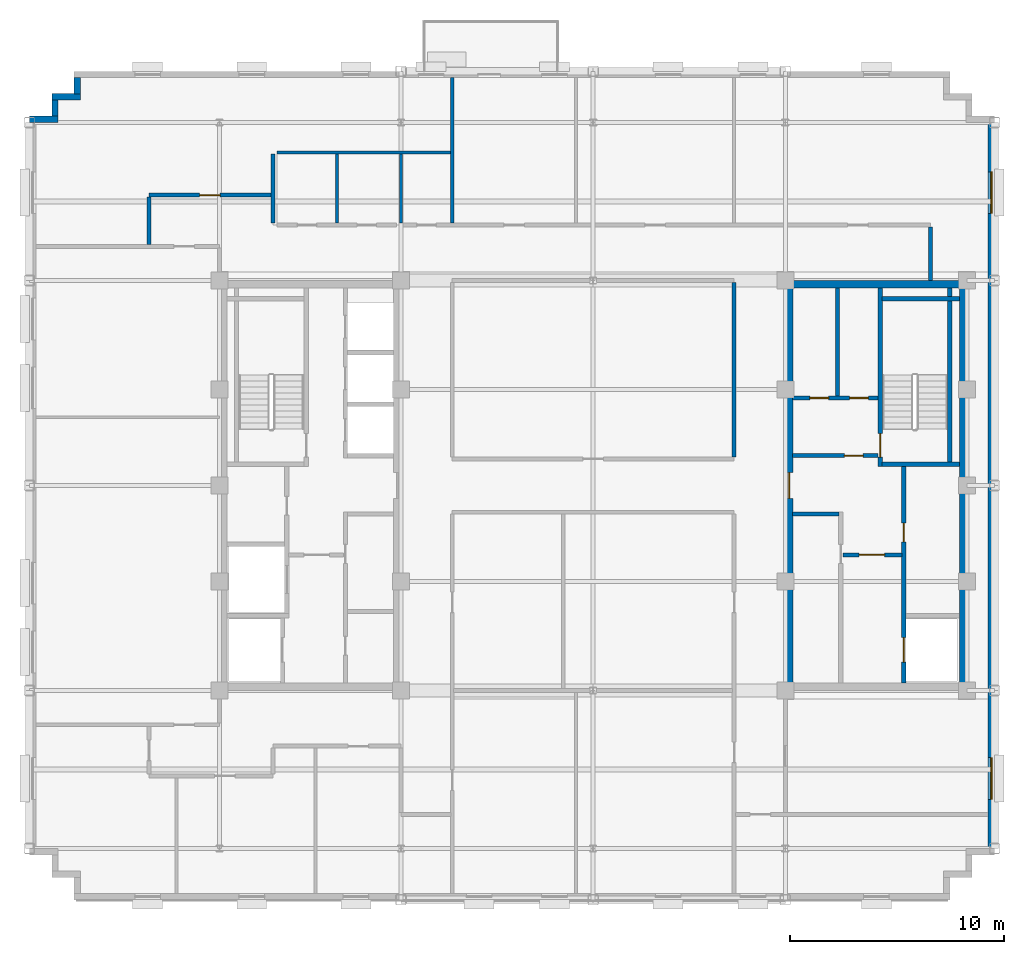
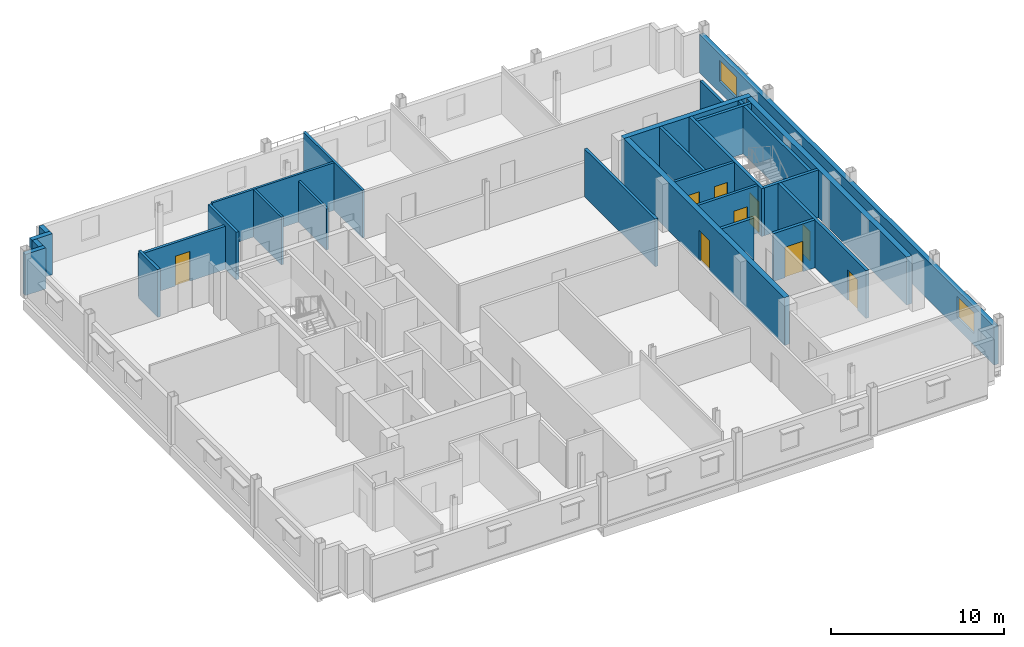
# One storey, part 8 of 14: 27 walls, 9 doors, 2 windows, 11 openings.
"""IFC4 building model written with IfcOpenShell, lengths in metres."""

from ifc_helpers import new_model, si_unit, direction, frame, frame_2d, origin, place, context, subcontext, project, spatial, rectangle, extrude, source, transform, mapped, material, layer, layer_set, type_object, type_shapes, element, fill, save


model = new_model("IFC4")

# Units and contexts
model_context = context("Model", 3, precision=1e-05, world=origin(), true_north=direction((0.0, 1.0)))
body_context = subcontext(model_context, "Body", "Model", "MODEL_VIEW")
ifc_project = project(units=[si_unit("LENGTHUNIT", "METRE"), si_unit("AREAUNIT", "SQUARE_METRE"), si_unit("VOLUMEUNIT", "CUBIC_METRE"), si_unit("PLANEANGLEUNIT", "RADIAN"), si_unit("MASSUNIT", "GRAM", prefix="KILO")], contexts=[model_context])

# Site, building, storey
site_placement = place(None, origin())
site = spatial("IfcSite", under=ifc_project, at=site_placement, CompositionType="ELEMENT")
building_placement = place(site_placement, origin())
building = spatial("IfcBuilding", under=site, at=building_placement, Name="Nuvemarco Arch Tower", CompositionType="ELEMENT")
storey_placement = place(building_placement, frame((0.0, 0.0, 238.35009765625)))
storey = spatial("IfcBuildingStorey", under=building, at=storey_placement, Name="L63", CompositionType="ELEMENT", Elevation=238.35009765625)

# Wall, openings, windows
ifc_material_1 = material(Name="Precast concrete C45/55", Category="concrete")
ifc_layer_1 = layer(ifc_material_1, 0.300048828125, Name="EW-HIGH-300")
ifc_layer_set_1 = layer_set([ifc_layer_1], Name="Precast concrete C45/55")
wall_type_1 = type_object("IfcWallType", Name="EW-HIGH-300", PredefinedType="STANDARD", material=ifc_layer_set_1)
wall_1_placement = place(storey_placement, frame((18.64990234375, -17.00390625, 0.0), z_axis=(0.0, 0.0, 1.0), x_axis=(0.0, 1.0, 0.0)))
wall_1 = element("IfcWall", 1, at=wall_1_placement, inside=storey, type_object=wall_type_1, Name="L63 exterior precast facade wall 6", PredefinedType="STANDARD", context=body_context, shape_type="SweptSolid", body=[
    extrude(rectangle(XDim=34.0078125, YDim=0.300048828125, at=frame_2d((17.00390625, 0.0))), origin(), (0.0, 0.0, 1.0), 2.704833984375),
])
opening_1_placement = place(wall_1_placement, frame((2.311279296875, 0.0, 0.800048828125)))
opening_1 = element("IfcOpeningElement", 2, at=opening_1_placement, cuts=wall_1, Name="Opening WN-7", PredefinedType="OPENING", context=body_context, shape_type="SweptSolid", body=[
    extrude(rectangle(XDim=1.949951171875, YDim=1.47998046875, at=frame_2d((0.97509765625, 0.739990234375))), frame((0.0, 0.159912109375, 0.0), z_axis=(0.0, -1.0, 0.0), x_axis=(1.0, 0.0, 0.0)), (0.0, 0.0, 1.0), 0.320068359375),
])
opening_2_placement = place(wall_1_placement, frame((29.74658203125, 0.0, 0.800048828125)))
opening_2 = element("IfcOpeningElement", 3, at=opening_2_placement, cuts=wall_1, Name="Opening WN-7", PredefinedType="OPENING", context=body_context, shape_type="SweptSolid", body=[
    extrude(rectangle(XDim=1.949951171875, YDim=1.47998046875, at=frame_2d((0.97509765625, 0.739990234375))), frame((0.0, 0.159912109375, 0.0), z_axis=(0.0, -1.0, 0.0), x_axis=(1.0, 0.0, 0.0)), (0.0, 0.0, 1.0), 0.320068359375),
])
ifc_material_2 = material(Name="Insulated solar-control glass", Category="glass")
window_type = type_object("IfcWindowType", Name="WN-HIGH-1950x1480", PartitioningType="DOUBLE_PANEL_VERTICAL", PredefinedType="WINDOW", material=ifc_material_2)
shared_shape_1 = source(origin(), body_context, "Body", "SweptSolid", [
    extrude(rectangle(XDim=1.949951171875, YDim=1.47998046875, at=frame_2d((0.97509765625, 0.739990234375))), frame((0.0, 0.030029296875, 0.0), z_axis=(0.0, -1.0, 0.0), x_axis=(1.0, 0.0, 0.0)), (0.0, 0.0, 1.0), 0.06005859375),
])
type_shapes(window_type, [shared_shape_1])
window_1_placement = place(opening_1_placement, origin())
window_1 = element("IfcWindow", 4, at=window_1_placement, inside=storey, type_object=window_type, Name="L63 punched facade window 1", OverallHeight=1.47998046875, OverallWidth=1.949951171875, PartitioningType="SINGLE_PANEL", PredefinedType="WINDOW", context=body_context, shape_type="MappedRepresentation", body=[
    mapped(shared_shape_1, transform((0.0, 0.0, 0.0), scale=1.0)),
])
fill(opening_1, window_1)
window_2_placement = place(opening_2_placement, origin())
window_2 = element("IfcWindow", 5, at=window_2_placement, inside=storey, type_object=window_type, Name="L63 punched facade window 7", OverallHeight=1.47998046875, OverallWidth=1.949951171875, PartitioningType="SINGLE_PANEL", PredefinedType="WINDOW", context=body_context, shape_type="MappedRepresentation", body=[
    mapped(shared_shape_1, transform((0.0, 0.0, 0.0), scale=1.0)),
])
fill(opening_2, window_2)

# Walls
wall_2_placement = place(storey_placement, frame((-24.14990234375, 18.345947265625, 0.0), z_axis=(0.0, 0.0, 1.0), x_axis=(0.0, 1.0, 0.0)))
element("IfcWall", 6, at=wall_2_placement, inside=storey, type_object=wall_type_1, Name="L63 exterior precast facade wall 12", PredefinedType="STANDARD", context=body_context, shape_type="SweptSolid", body=[
    extrude(rectangle(XDim=0.758056640625, YDim=0.300048828125, at=frame_2d((0.37890625, 0.0))), origin(), (0.0, 0.0, 1.0), 2.891845703125),
])
wall_3_placement = place(storey_placement, frame((-25.35009765625, 18.199951171875, 0.0), z_axis=(0.0, 0.0, 1.0), x_axis=(1.0, 0.0, 0.0)))
element("IfcWall", 7, at=wall_3_placement, inside=storey, type_object=wall_type_1, Name="L63 exterior precast facade wall 13", PredefinedType="STANDARD", context=body_context, shape_type="SweptSolid", body=[
    extrude(rectangle(XDim=1.35009765625, YDim=0.300048828125, at=frame_2d((0.675048828125, 0.0))), origin(), (0.0, 0.0, 1.0), 2.891845703125),
])
wall_4_placement = place(storey_placement, frame((-25.199951171875, 17.2958984375, 0.0), z_axis=(0.0, 0.0, 1.0), x_axis=(0.0, 1.0, 0.0)))
element("IfcWall", 8, at=wall_4_placement, inside=storey, type_object=wall_type_1, Name="L63 exterior precast facade wall 14", PredefinedType="STANDARD", context=body_context, shape_type="SweptSolid", body=[
    extrude(rectangle(XDim=0.758056640625, YDim=0.300048828125, at=frame_2d((0.37890625, 0.0))), origin(), (0.0, 0.0, 1.0), 2.891845703125),
])
wall_5_placement = place(storey_placement, frame((-26.39990234375, 17.14990234375, 0.0), z_axis=(0.0, 0.0, 1.0), x_axis=(1.0, 0.0, 0.0)))
element("IfcWall", 9, at=wall_5_placement, inside=storey, type_object=wall_type_1, Name="L63 exterior precast facade wall 15", PredefinedType="STANDARD", context=body_context, shape_type="SweptSolid", body=[
    extrude(rectangle(XDim=1.349853515625, YDim=0.300048828125, at=frame_2d((0.6748046875, 0.0))), origin(), (0.0, 0.0, 1.0), 2.891845703125),
])
ifc_material_3 = material(Name="Concrete C50/60", Category="concrete")
ifc_layer_2 = layer(ifc_material_3, 0.35009765625, Name="WL-CORE-350")
ifc_layer_set_2 = layer_set([ifc_layer_2], Name="Concrete C50/60")
wall_type_2 = type_object("IfcWallType", Name="WL-CORE-350", PredefinedType="SHEAR", material=ifc_layer_set_2)
wall_6_placement = place(storey_placement, frame((9.0, 9.425048828125, 0.0), z_axis=(0.0, 0.0, 1.0), x_axis=(1.0, 0.0, 0.0)))
element("IfcWall", 10, at=wall_6_placement, inside=storey, type_object=wall_type_2, Name="L63 E-core shear wall N", PredefinedType="SHEAR", context=body_context, shape_type="SweptSolid", body=[
    extrude(rectangle(XDim=8.5, YDim=0.35009765625, at=frame_2d((4.25, 0.0))), origin(), (0.0, 0.0, 1.0), 3.369873046875),
])

# Wall, opening, door
wall_7_placement = place(storey_placement, frame((9.175048828125, -9.2548828125, 0.0), z_axis=(0.0, 0.0, 1.0), x_axis=(0.0, 1.0, 0.0)))
wall_7 = element("IfcWall", 11, at=wall_7_placement, inside=storey, type_object=wall_type_2, Name="L63 E-core shear wall W", PredefinedType="SHEAR", context=body_context, shape_type="SweptSolid", body=[
    extrude(rectangle(XDim=18.509765625, YDim=0.35009765625, at=frame_2d((9.2548828125, 0.0))), origin(), (0.0, 0.0, 1.0), 3.369873046875),
])
opening_3_placement = place(wall_7_placement, frame((8.655029296875, 0.0, 0.0)))
opening_3 = element("IfcOpeningElement", 12, at=opening_3_placement, cuts=wall_7, Name="Opening FD-2", PredefinedType="OPENING", context=body_context, shape_type="SweptSolid", body=[
    extrude(rectangle(XDim=1.199951171875, YDim=2.14990234375, at=frame_2d((0.60009765625, 1.074951171875))), frame((0.0, 0.18505859375, 0.0), z_axis=(0.0, -1.0, 0.0), x_axis=(1.0, 0.0, 0.0)), (0.0, 0.0, 1.0), 0.3701171875),
])
ifc_material_4 = material(Name="Anodised steel fire door", Category="steel")
door_type_1 = type_object("IfcDoorType", Name="DR-FFLOB-FD", OperationType="NOTDEFINED", PredefinedType="DOOR", material=ifc_material_4)
shared_shape_2 = source(origin(), body_context, "Body", "SweptSolid", [
    extrude(rectangle(XDim=1.199951171875, YDim=2.14990234375, at=frame_2d((0.60009765625, 1.074951171875))), frame((0.0, 0.02490234375, 0.0), z_axis=(0.0, -1.0, 0.0), x_axis=(1.0, 0.0, 0.0)), (0.0, 0.0, 1.0), 0.050048828125),
])
type_shapes(door_type_1, [shared_shape_2])
door_1_placement = place(opening_3_placement, origin())
door_1 = element("IfcDoor", 13, at=door_1_placement, inside=storey, type_object=door_type_1, Name="L63 door FD-L63-ECORE-W", OperationType="SINGLE_SWING_LEFT", OverallHeight=2.14990234375, OverallWidth=1.199951171875, PredefinedType="DOOR", context=body_context, shape_type="MappedRepresentation", body=[
    mapped(shared_shape_2, transform((0.0, 0.0, 0.0), scale=1.0)),
])
fill(opening_3, door_1)

# Wall
wall_8_placement = place(storey_placement, frame((17.324951171875, -9.2548828125, 0.0), z_axis=(0.0, 0.0, 1.0), x_axis=(0.0, 1.0, 0.0)))
element("IfcWall", 14, at=wall_8_placement, inside=storey, type_object=wall_type_2, Name="L63 E-core shear wall E", PredefinedType="SHEAR", context=body_context, shape_type="SweptSolid", body=[
    extrude(rectangle(XDim=18.509765625, YDim=0.35009765625, at=frame_2d((9.2548828125, 0.0))), origin(), (0.0, 0.0, 1.0), 3.369873046875),
])

# Wall, opening, door
ifc_material_5 = material(Name="Fire-rated gypsum drywall partition")
ifc_layer_3 = layer(ifc_material_5, 0.179931640625, Name="WL-CORR-180")
ifc_layer_set_3 = layer_set([ifc_layer_3], Name="Fire-rated gypsum drywall partition")
wall_type_3 = type_object("IfcWallType", Name="WL-CORR-180", PredefinedType="PARTITIONING", material=ifc_layer_set_3)
wall_9_placement = place(storey_placement, frame((9.344970703125, 1.39990234375, 0.0), z_axis=(0.0, 0.0, 1.0), x_axis=(1.0, 0.0, 0.0)))
wall_9 = element("IfcWall", 15, at=wall_9_placement, inside=storey, type_object=wall_type_3, Name="L63 interior wall IW-L63-EK-S", PredefinedType="PARTITIONING", context=body_context, shape_type="SweptSolid", body=[
    extrude(rectangle(XDim=4.0, YDim=0.179931640625, at=frame_2d((2.0, 0.0))), origin(), (0.0, 0.0, 1.0), 3.35986328125),
])
opening_4_placement = place(wall_9_placement, frame((2.4150390625, 0.0, 0.0)))
opening_4 = element("IfcOpeningElement", 16, at=opening_4_placement, cuts=wall_9, Name="Opening FD-4", PredefinedType="OPENING", context=body_context, shape_type="SweptSolid", body=[
    extrude(rectangle(XDim=0.8798828125, YDim=2.10009765625, at=frame_2d((0.43994140625, 1.050048828125))), frame((0.0, 0.099853515625, 0.0), z_axis=(0.0, -1.0, 0.0), x_axis=(1.0, 0.0, 0.0)), (0.0, 0.0, 1.0), 0.199951171875),
])
door_type_2 = type_object("IfcDoorType", Name="DR-RISER-FD", OperationType="NOTDEFINED", PredefinedType="DOOR", material=ifc_material_4)
shared_shape_3 = source(origin(), body_context, "Body", "SweptSolid", [
    extrude(rectangle(XDim=0.8798828125, YDim=2.10009765625, at=frame_2d((0.43994140625, 1.050048828125))), frame((0.0, 0.02490234375, 0.0), z_axis=(0.0, -1.0, 0.0), x_axis=(1.0, 0.0, 0.0)), (0.0, 0.0, 1.0), 0.050048828125),
])
type_shapes(door_type_2, [shared_shape_3])
door_2_placement = place(opening_4_placement, origin())
door_2 = element("IfcDoor", 17, at=door_2_placement, inside=storey, type_object=door_type_2, Name="L63 door FD-L63-EK3A", OperationType="SINGLE_SWING_RIGHT", OverallHeight=2.10009765625, OverallWidth=0.8798828125, PredefinedType="DOOR", context=body_context, shape_type="MappedRepresentation", body=[
    mapped(shared_shape_3, transform((0.0, 0.0, 0.0), scale=1.0)),
])
fill(opening_4, door_2)

# Wall, openings, doors
wall_10_placement = place(storey_placement, frame((9.344970703125, 4.10009765625, 0.0), z_axis=(0.0, 0.0, 1.0), x_axis=(1.0, 0.0, 0.0)))
wall_10 = element("IfcWall", 18, at=wall_10_placement, inside=storey, type_object=wall_type_3, Name="L63 interior wall IW-L63-EK3H", PredefinedType="PARTITIONING", context=body_context, shape_type="SweptSolid", body=[
    extrude(rectangle(XDim=4.0, YDim=0.179931640625, at=frame_2d((2.0, 0.0))), origin(), (0.0, 0.0, 1.0), 3.35986328125),
])
opening_5_placement = place(wall_10_placement, frame((0.800048828125, 0.0, 0.0)))
opening_5 = element("IfcOpeningElement", 19, at=opening_5_placement, cuts=wall_10, Name="Opening FD-4", PredefinedType="OPENING", context=body_context, shape_type="SweptSolid", body=[
    extrude(rectangle(XDim=0.8798828125, YDim=2.10009765625, at=frame_2d((0.43994140625, 1.050048828125))), frame((0.0, 0.099853515625, 0.0), z_axis=(0.0, -1.0, 0.0), x_axis=(1.0, 0.0, 0.0)), (0.0, 0.0, 1.0), 0.199951171875),
])
opening_6_placement = place(wall_10_placement, frame((2.6650390625, 0.0, 0.0)))
opening_6 = element("IfcOpeningElement", 20, at=opening_6_placement, cuts=wall_10, Name="Opening FD-4", PredefinedType="OPENING", context=body_context, shape_type="SweptSolid", body=[
    extrude(rectangle(XDim=0.8798828125, YDim=2.10009765625, at=frame_2d((0.43994140625, 1.050048828125))), frame((0.0, 0.099853515625, 0.0), z_axis=(0.0, -1.0, 0.0), x_axis=(1.0, 0.0, 0.0)), (0.0, 0.0, 1.0), 0.199951171875),
])
door_3_placement = place(opening_5_placement, origin())
door_3 = element("IfcDoor", 21, at=door_3_placement, inside=storey, type_object=door_type_2, Name="L63 door FD-L63-EK3B", OperationType="SINGLE_SWING_LEFT", OverallHeight=2.10009765625, OverallWidth=0.8798828125, PredefinedType="DOOR", context=body_context, shape_type="MappedRepresentation", body=[
    mapped(shared_shape_3, transform((0.0, 0.0, 0.0), scale=1.0)),
])
fill(opening_5, door_3)
door_4_placement = place(opening_6_placement, origin())
door_4 = element("IfcDoor", 22, at=door_4_placement, inside=storey, type_object=door_type_2, Name="L63 door FD-L63-EK3C", OperationType="SINGLE_SWING_RIGHT", OverallHeight=2.10009765625, OverallWidth=0.8798828125, PredefinedType="DOOR", context=body_context, shape_type="MappedRepresentation", body=[
    mapped(shared_shape_3, transform((0.0, 0.0, 0.0), scale=1.0)),
])
fill(opening_6, door_4)

# Wall
wall_11_placement = place(storey_placement, frame((11.449951171875, 4.18994140625, 0.0), z_axis=(0.0, 0.0, 1.0), x_axis=(0.0, 1.0, 0.0)))
element("IfcWall", 23, at=wall_11_placement, inside=storey, type_object=wall_type_3, Name="L63 interior wall IW-L63-EK3V", PredefinedType="PARTITIONING", context=body_context, shape_type="SweptSolid", body=[
    extrude(rectangle(XDim=5.06494140625, YDim=0.179931640625, at=frame_2d((2.532470703125, 0.0))), origin(), (0.0, 0.0, 1.0), 3.35986328125),
])

# Wall, opening, door
wall_12_placement = place(storey_placement, frame((-20.800048828125, 13.60009765625, 0.0), z_axis=(0.0, 0.0, 1.0), x_axis=(1.0, 0.0, 0.0)))
wall_12 = element("IfcWall", 24, at=wall_12_placement, inside=storey, type_object=wall_type_3, Name="L63 interior wall IW-L63-016", PredefinedType="PARTITIONING", context=body_context, shape_type="SweptSolid", body=[
    extrude(rectangle(XDim=5.714111328125, YDim=0.179931640625, at=frame_2d((2.85693359375, 0.0))), origin(), (0.0, 0.0, 1.0), 3.048828125),
])
opening_7_placement = place(wall_12_placement, frame((2.376953125, 0.0, 0.0)))
opening_7 = element("IfcOpeningElement", 25, at=opening_7_placement, cuts=wall_12, Name="Opening FD-5", PredefinedType="OPENING", context=body_context, shape_type="SweptSolid", body=[
    extrude(rectangle(XDim=0.9599609375, YDim=2.10009765625, at=frame_2d((0.47998046875, 1.050048828125))), frame((0.0, 0.099853515625, 0.0), z_axis=(0.0, -1.0, 0.0), x_axis=(1.0, 0.0, 0.0)), (0.0, 0.0, 1.0), 0.199951171875),
])
ifc_material_6 = material(Name="Timber fire door", Category="wood")
door_type_3 = type_object("IfcDoorType", Name="DR-CORR-FD", OperationType="NOTDEFINED", PredefinedType="DOOR", material=ifc_material_6)
shared_shape_4 = source(origin(), body_context, "Body", "SweptSolid", [
    extrude(rectangle(XDim=0.9599609375, YDim=2.10009765625, at=frame_2d((0.47998046875, 1.050048828125))), frame((0.0, 0.02490234375, 0.0), z_axis=(0.0, -1.0, 0.0), x_axis=(1.0, 0.0, 0.0)), (0.0, 0.0, 1.0), 0.050048828125),
])
type_shapes(door_type_3, [shared_shape_4])
door_5_placement = place(opening_7_placement, origin())
door_5 = element("IfcDoor", 26, at=door_5_placement, inside=storey, type_object=door_type_3, Name="L63 door DR-L63-N_1", OperationType="SINGLE_SWING_RIGHT", OverallHeight=2.10009765625, OverallWidth=0.9599609375, PredefinedType="DOOR", context=body_context, shape_type="MappedRepresentation", body=[
    mapped(shared_shape_4, transform((0.0, 0.0, 0.0), scale=1.0)),
])
fill(opening_7, door_5)

# Walls
wall_13_placement = place(storey_placement, frame((-20.800048828125, 11.285888671875, 0.0), z_axis=(0.0, 0.0, 1.0), x_axis=(0.0, 1.0, 0.0)))
element("IfcWall", 27, at=wall_13_placement, inside=storey, type_object=wall_type_3, Name="L63 interior wall IW-L63-019", PredefinedType="PARTITIONING", context=body_context, shape_type="SweptSolid", body=[
    extrude(rectangle(XDim=2.22802734375, YDim=0.179931640625, at=frame_2d((1.114013671875, 0.0))), origin(), (0.0, 0.0, 1.0), 3.35986328125),
])
wall_14_placement = place(storey_placement, frame((-15.0, 12.285888671875, 0.0), z_axis=(0.0, 0.0, 1.0), x_axis=(0.0, 1.0, 0.0)))
element("IfcWall", 28, at=wall_14_placement, inside=storey, type_object=wall_type_3, Name="L63 interior wall IW-L63-024", PredefinedType="PARTITIONING", context=body_context, shape_type="SweptSolid", body=[
    extrude(rectangle(XDim=3.2431640625, YDim=0.179931640625, at=frame_2d((1.62158203125, 0.0))), origin(), (0.0, 0.0, 1.0), 3.35986328125),
])
wall_15_placement = place(storey_placement, frame((6.60009765625, 1.3359375, 0.0), z_axis=(0.0, 0.0, 1.0), x_axis=(0.0, 1.0, 0.0)))
element("IfcWall", 29, at=wall_15_placement, inside=storey, type_object=wall_type_3, Name="L63 interior wall IW-L63-036", PredefinedType="PARTITIONING", context=body_context, shape_type="SweptSolid", body=[
    extrude(rectangle(XDim=8.177978515625, YDim=0.179931640625, at=frame_2d((4.0888671875, 0.0))), origin(), (0.0, 0.0, 1.0), 3.35986328125),
])
wall_16_placement = place(storey_placement, frame((15.800048828125, 9.60009765625, 0.0), z_axis=(0.0, 0.0, 1.0), x_axis=(0.0, 1.0, 0.0)))
element("IfcWall", 30, at=wall_16_placement, inside=storey, type_object=wall_type_3, Name="L63 interior wall IW-L63-039", PredefinedType="PARTITIONING", context=body_context, shape_type="SweptSolid", body=[
    extrude(rectangle(XDim=2.513916015625, YDim=0.179931640625, at=frame_2d((1.2568359375, 0.0))), origin(), (0.0, 0.0, 1.0), 3.35986328125),
])

# Wall, opening, door
ifc_layer_4 = layer(ifc_material_3, 0.199951171875, Name="WL-SHAFT-220")
ifc_layer_set_4 = layer_set([ifc_layer_4], Name="Concrete C50/60")
wall_type_4 = type_object("IfcWallType", Name="WL-SHAFT-220", PredefinedType="SHEAR", material=ifc_layer_set_4)
wall_17_placement = place(storey_placement, frame((13.43994140625, 0.89990234375, 0.0), z_axis=(0.0, 0.0, 1.0), x_axis=(0.0, 1.0, 0.0)))
wall_17 = element("IfcWall", 31, at=wall_17_placement, inside=storey, type_object=wall_type_4, Name="L63 structural shaft wall SW-L63-E-ST2W", PredefinedType="SHEAR", context=body_context, shape_type="SweptSolid", body=[
    extrude(rectangle(XDim=8.35498046875, YDim=0.199951171875, at=frame_2d((4.177490234375, 0.0))), origin(), (0.0, 0.0, 1.0), 3.369873046875),
])
opening_8_placement = place(wall_17_placement, frame((0.429931640625, 0.0, 0.0)))
opening_8 = element("IfcOpeningElement", 32, at=opening_8_placement, cuts=wall_17, Name="Opening FD-1", PredefinedType="OPENING", context=body_context, shape_type="SweptSolid", body=[
    extrude(rectangle(XDim=1.10009765625, YDim=2.14990234375, at=frame_2d((0.550048828125, 1.074951171875))), frame((0.0, 0.10986328125, 0.0), z_axis=(0.0, -1.0, 0.0), x_axis=(1.0, 0.0, 0.0)), (0.0, 0.0, 1.0), 0.219970703125),
])
door_type_4 = type_object("IfcDoorType", Name="DR-STAIR-FD", OperationType="NOTDEFINED", PredefinedType="DOOR", material=ifc_material_4)
shared_shape_5 = source(origin(), body_context, "Body", "SweptSolid", [
    extrude(rectangle(XDim=1.10009765625, YDim=2.14990234375, at=frame_2d((0.550048828125, 1.074951171875))), frame((0.0, 0.02490234375, 0.0), z_axis=(0.0, -1.0, 0.0), x_axis=(1.0, 0.0, 0.0)), (0.0, 0.0, 1.0), 0.050048828125),
])
type_shapes(door_type_4, [shared_shape_5])
door_6_placement = place(opening_8_placement, origin())
door_6 = element("IfcDoor", 33, at=door_6_placement, inside=storey, type_object=door_type_4, Name="L63 door FD-L63-ST2", OperationType="SINGLE_SWING_RIGHT", OverallHeight=2.14990234375, OverallWidth=1.10009765625, PredefinedType="DOOR", context=body_context, shape_type="MappedRepresentation", body=[
    mapped(shared_shape_5, transform((0.0, 0.0, 0.0), scale=1.0)),
])
fill(opening_8, door_6)

# Walls
for number, where, z_axis, x_axis, name in (
    (34, (13.534912109375, 1.0, 0.0), (0.0, 0.0, 1.0), (1.0, 0.0, 0.0), "L63 structural shaft wall SW-L63-E-ST2S"),
    (35, (13.534912109375, 8.75, 0.0), (0.0, 0.0, 1.0), (1.0, 0.0, 0.0), "L63 structural shaft wall SW-L63-E-ST2N"),
):
    element("IfcWall", number, at=place(storey_placement, frame(where, z_axis=z_axis, x_axis=x_axis)), inside=storey, type_object=wall_type_4, Name=name, PredefinedType="SHEAR", context=body_context, shape_type="SweptSolid", body=[
        extrude(rectangle(XDim=3.6201171875, YDim=0.199951171875, at=frame_2d((1.81005859375, 0.0))), origin(), (0.0, 0.0, 1.0), 3.369873046875),
    ])
wall_18_placement = place(storey_placement, frame((16.699951171875, 1.094970703125, 0.0), z_axis=(0.0, 0.0, 1.0), x_axis=(0.0, 1.0, 0.0)))
element("IfcWall", 36, at=wall_18_placement, inside=storey, type_object=wall_type_4, Name="L63 structural shaft wall SW-L63-E-ST2E", PredefinedType="SHEAR", context=body_context, shape_type="SweptSolid", body=[
    extrude(rectangle(XDim=8.159912109375, YDim=0.199951171875, at=frame_2d((4.080078125, 0.0))), origin(), (0.0, 0.0, 1.0), 3.369873046875),
])

# Wall, openings, doors
wall_19_placement = place(storey_placement, frame((14.550048828125, -9.2548828125, 0.0), z_axis=(0.0, 0.0, 1.0), x_axis=(0.0, 1.0, 0.0)))
wall_19 = element("IfcWall", 37, at=wall_19_placement, inside=storey, type_object=wall_type_4, Name="L63 structural shaft wall SW-L63-E-SHW", PredefinedType="SHEAR", context=body_context, shape_type="SweptSolid", body=[
    extrude(rectangle(XDim=10.159912109375, YDim=0.199951171875, at=frame_2d((5.080078125, 0.0))), origin(), (0.0, 0.0, 1.0), 3.369873046875),
])
opening_9_placement = place(wall_19_placement, frame((6.614990234375, 0.0, 0.0)))
opening_9 = element("IfcOpeningElement", 38, at=opening_9_placement, cuts=wall_19, Name="Opening FD-4", PredefinedType="OPENING", context=body_context, shape_type="SweptSolid", body=[
    extrude(rectangle(XDim=0.8798828125, YDim=2.10009765625, at=frame_2d((0.43994140625, 1.050048828125))), frame((0.0, 0.10986328125, 0.0), z_axis=(0.0, -1.0, 0.0), x_axis=(1.0, 0.0, 0.0)), (0.0, 0.0, 1.0), 0.219970703125),
])
opening_10_placement = place(wall_19_placement, frame((0.97998046875, 0.0, 0.0)))
opening_10 = element("IfcOpeningElement", 39, at=opening_10_placement, cuts=wall_19, Name="Opening LD-2", PredefinedType="OPENING", context=body_context, shape_type="SweptSolid", body=[
    extrude(rectangle(XDim=1.14990234375, YDim=2.14990234375, at=frame_2d((0.574951171875, 1.074951171875))), frame((0.0, 0.10986328125, 0.0), z_axis=(0.0, -1.0, 0.0), x_axis=(1.0, 0.0, 0.0)), (0.0, 0.0, 1.0), 0.219970703125),
])
door_7_placement = place(opening_9_placement, origin())
door_7 = element("IfcDoor", 40, at=door_7_placement, inside=storey, type_object=door_type_2, Name="L63 door FD-L63-ERIS", OperationType="SINGLE_SWING_RIGHT", OverallHeight=2.10009765625, OverallWidth=0.8798828125, PredefinedType="DOOR", context=body_context, shape_type="MappedRepresentation", body=[
    mapped(shared_shape_3, transform((0.0, 0.0, 0.0), scale=1.0)),
])
fill(opening_9, door_7)
ifc_material_7 = material(Name="Stainless steel lift door", Category="steel")
door_type_5 = type_object("IfcDoorType", Name="DR-LIFT-FIRE", OperationType="DOUBLE_DOOR_SLIDING", PredefinedType="DOOR", material=ifc_material_7)
shared_shape_6 = source(origin(), body_context, "Body", "SweptSolid", [
    extrude(rectangle(XDim=1.14990234375, YDim=2.14990234375, at=frame_2d((0.574951171875, 1.074951171875))), frame((0.0, 0.02490234375, 0.0), z_axis=(0.0, -1.0, 0.0), x_axis=(1.0, 0.0, 0.0)), (0.0, 0.0, 1.0), 0.050048828125),
])
type_shapes(door_type_5, [shared_shape_6])
door_8_placement = place(opening_10_placement, origin())
door_8 = element("IfcDoor", 41, at=door_8_placement, inside=storey, type_object=door_type_5, Name="L63 Lift landing sliding door FFL-2", OperationType="DOUBLE_DOOR_SLIDING", OverallHeight=2.14990234375, OverallWidth=1.14990234375, PredefinedType="DOOR", context=body_context, shape_type="MappedRepresentation", body=[
    mapped(shared_shape_6, transform((0.0, 0.0, 0.0), scale=1.0)),
])
fill(opening_10, door_8)

# Wall, opening, door
wall_20_placement = place(storey_placement, frame((11.695068359375, -3.25, 0.0), z_axis=(0.0, 0.0, 1.0), x_axis=(1.0, 0.0, 0.0)))
wall_20 = element("IfcWall", 42, at=wall_20_placement, inside=storey, type_object=wall_type_4, Name="L63 structural shaft wall SW-L63-E-FFN", PredefinedType="SHEAR", context=body_context, shape_type="SweptSolid", body=[
    extrude(rectangle(XDim=2.760009765625, YDim=0.199951171875, at=frame_2d((1.3798828125, 0.0))), origin(), (0.0, 0.0, 1.0), 3.369873046875),
])
opening_11_placement = place(wall_20_placement, frame((0.7548828125, 0.0, 0.0)))
opening_11 = element("IfcOpeningElement", 43, at=opening_11_placement, cuts=wall_20, Name="Opening FD-2", PredefinedType="OPENING", context=body_context, shape_type="SweptSolid", body=[
    extrude(rectangle(XDim=1.199951171875, YDim=2.14990234375, at=frame_2d((0.60009765625, 1.074951171875))), frame((0.0, 0.10986328125, 0.0), z_axis=(0.0, -1.0, 0.0), x_axis=(1.0, 0.0, 0.0)), (0.0, 0.0, 1.0), 0.219970703125),
])
door_9_placement = place(opening_11_placement, origin())
door_9 = element("IfcDoor", 44, at=door_9_placement, inside=storey, type_object=door_type_1, Name="L63 door FD-L63-EFF2", OperationType="SINGLE_SWING_RIGHT", OverallHeight=2.14990234375, OverallWidth=1.199951171875, PredefinedType="DOOR", context=body_context, shape_type="MappedRepresentation", body=[
    mapped(shared_shape_2, transform((0.0, 0.0, 0.0), scale=1.0)),
])
fill(opening_11, door_9)

# Walls
wall_21_placement = place(storey_placement, frame((9.344970703125, -1.330078125, 0.0), z_axis=(0.0, 0.0, 1.0), x_axis=(1.0, 0.0, 0.0)))
element("IfcWall", 45, at=wall_21_placement, inside=storey, type_object=wall_type_4, Name="L63 structural shaft wall SW-L63-E-PMTOP", PredefinedType="SHEAR", context=body_context, shape_type="SweptSolid", body=[
    extrude(rectangle(XDim=2.159912109375, YDim=0.199951171875, at=frame_2d((1.080078125, 0.0))), origin(), (0.0, 0.0, 1.0), 3.369873046875),
])
ifc_material_8 = material(Name="Acoustic gypsum drywall partition")
ifc_layer_5 = layer(ifc_material_8, 0.159912109375, Name="WL-TENANT-160")
ifc_layer_set_5 = layer_set([ifc_layer_5], Name="Acoustic gypsum drywall partition")
wall_type_5 = type_object("IfcWallType", Name="WL-TENANT-160", PredefinedType="PARTITIONING", material=ifc_layer_set_5)
wall_22_placement = place(storey_placement, frame((-6.60009765625, 12.285888671875, 0.0), z_axis=(0.0, 0.0, 1.0), x_axis=(0.0, 1.0, 0.0)))
element("IfcWall", 46, at=wall_22_placement, inside=storey, type_object=wall_type_5, Name="L63 interior wall IW-L63-031", PredefinedType="PARTITIONING", context=body_context, shape_type="SweptSolid", body=[
    extrude(rectangle(XDim=6.814208984375, YDim=0.159912109375, at=frame_2d((3.4072265625, 0.0))), origin(), (0.0, 0.0, 1.0), 3.35986328125),
])
ifc_material_9 = material(Name="Moisture-resistant gypsum partition")
ifc_layer_6 = layer(ifc_material_9, 0.14990234375, Name="WL-WET-150")
ifc_layer_set_6 = layer_set([ifc_layer_6], Name="Moisture-resistant gypsum partition")
wall_type_6 = type_object("IfcWallType", Name="WL-WET-150", PredefinedType="PARTITIONING", material=ifc_layer_set_6)
wall_23_placement = place(storey_placement, frame((-14.800048828125, 15.60009765625, 0.0), z_axis=(0.0, 0.0, 1.0), x_axis=(1.0, 0.0, 0.0)))
element("IfcWall", 47, at=wall_23_placement, inside=storey, type_object=wall_type_6, Name="L63 interior wall IW-L63-017", PredefinedType="PARTITIONING", context=body_context, shape_type="SweptSolid", body=[
    extrude(rectangle(XDim=8.129150390625, YDim=0.14990234375, at=frame_2d((4.064453125, 0.0))), origin(), (0.0, 0.0, 1.0), 3.35986328125),
])
wall_24_placement = place(storey_placement, frame((-12.0, 12.285888671875, 0.0), z_axis=(0.0, 0.0, 1.0), x_axis=(0.0, 1.0, 0.0)))
element("IfcWall", 48, at=wall_24_placement, inside=storey, type_object=wall_type_6, Name="L63 interior wall IW-L63-026", PredefinedType="PARTITIONING", context=body_context, shape_type="SweptSolid", body=[
    extrude(rectangle(XDim=3.2431640625, YDim=0.14990234375, at=frame_2d((1.62158203125, 0.0))), origin(), (0.0, 0.0, 1.0), 3.35986328125),
])
wall_25_placement = place(storey_placement, frame((-9.0, 12.285888671875, 0.0), z_axis=(0.0, 0.0, 1.0), x_axis=(0.0, 1.0, 0.0)))
element("IfcWall", 49, at=wall_25_placement, inside=storey, type_object=wall_type_6, Name="L63 interior wall IW-L63-028", PredefinedType="PARTITIONING", context=body_context, shape_type="SweptSolid", body=[
    extrude(rectangle(XDim=3.2431640625, YDim=0.14990234375, at=frame_2d((1.62158203125, 0.0))), origin(), (0.0, 0.0, 1.0), 2.891845703125),
])

save(model, "model.ifc")
